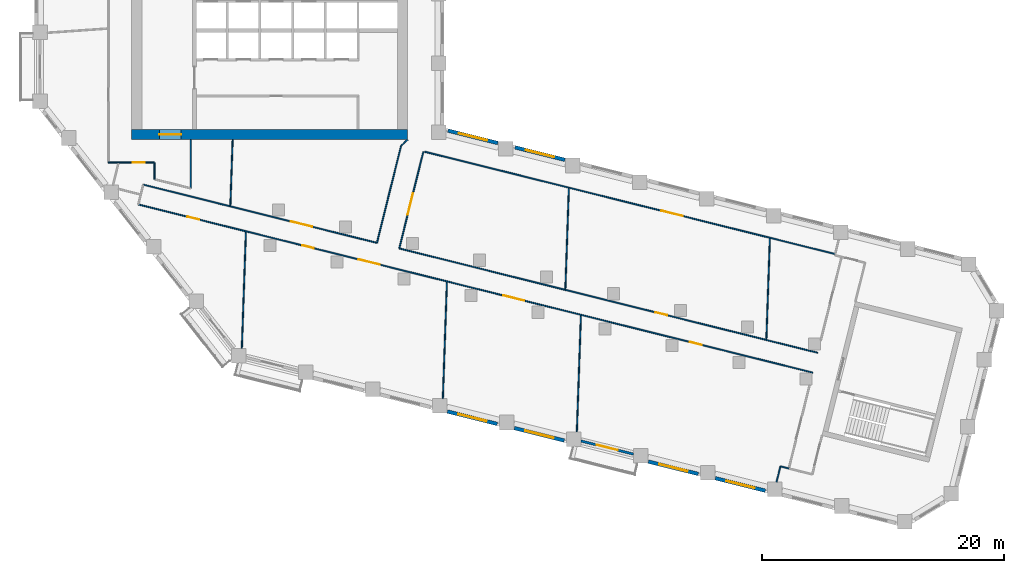
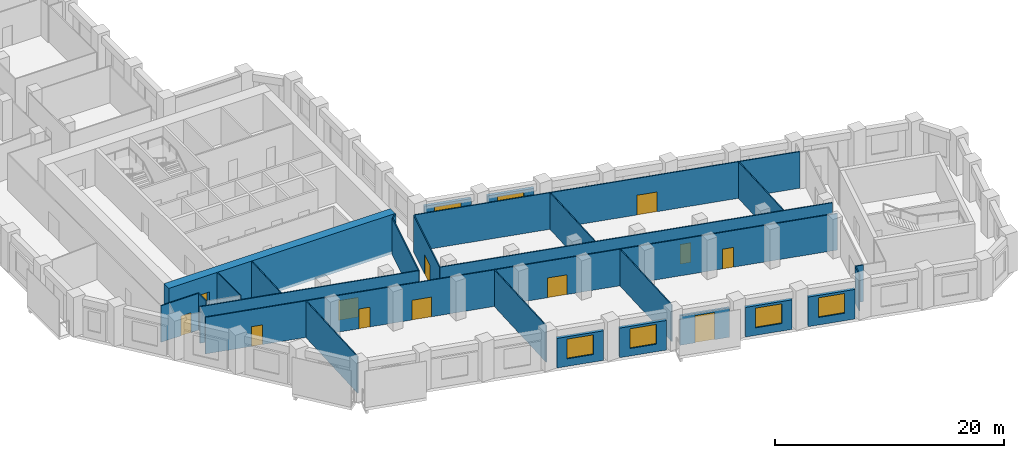
# One storey, part 3 of 10: 26 walls, 12 doors, 6 windows, 18 openings.
"""IFC4 building model written with IfcOpenShell, lengths in metres."""

from ifc_helpers import new_model, si_unit, direction, frame, frame_2d, origin, place, context, subcontext, project, spatial, rectangle, extrude, material, layer, layer_set, type_object, element, fill, save


model = new_model("IFC4")

# Units and contexts
model_context = context("Model", 3, precision=1e-05, world=origin(), true_north=direction((0.0, 1.0)))
body_context = subcontext(model_context, "Body", "Model", "MODEL_VIEW")
ifc_project = project(units=[si_unit("LENGTHUNIT", "METRE"), si_unit("AREAUNIT", "SQUARE_METRE"), si_unit("VOLUMEUNIT", "CUBIC_METRE"), si_unit("PLANEANGLEUNIT", "RADIAN"), si_unit("MASSUNIT", "GRAM", prefix="KILO")], contexts=[model_context])

# Site, building, storey
site_placement = place(None, origin())
site = spatial("IfcSite", under=ifc_project, at=site_placement, CompositionType="ELEMENT")
building_placement = place(site_placement, origin())
building = spatial("IfcBuilding", under=site, at=building_placement, Name="Meshkara Civic Tower", CompositionType="ELEMENT")
storey_placement = place(building_placement, frame((0.0, 0.0, 169.800048828125)))
storey = spatial("IfcBuildingStorey", under=building, at=storey_placement, Name="L38", CompositionType="ELEMENT", Elevation=169.800048828125)

# Wall, opening, door
ifc_material_1 = material(Name="Concrete C70", Category="concrete")
ifc_layer_1 = layer(ifc_material_1, 0.85009765625)
ifc_layer_set_1 = layer_set([ifc_layer_1], Name="Core ring wall 850 C70")
wall_type_1 = type_object("IfcWallType", Name="Core ring wall 850 C70", PredefinedType="SHEAR", material=ifc_layer_set_1)
wall_1_placement = place(storey_placement, frame((8.0, 14.52490234375, -0.300048828125), z_axis=(0.0, 0.0, 1.0), x_axis=(1.0, 0.0, 0.0)))
wall_1 = element("IfcWall", 1, at=wall_1_placement, inside=storey, type_object=wall_type_1, Name="L38-C001", PredefinedType="SHEAR", context=body_context, shape_type="SweptSolid", body=[
    extrude(rectangle(XDim=22.800048828125, YDim=0.85009765625, at=frame_2d((11.39990234375, 0.0))), origin(), (0.0, 0.0, 1.0), 4.199951171875),
])
opening_1_placement = place(wall_1_placement, frame((2.300048828125, 0.0, 0.300048828125)))
opening_1 = element("IfcOpeningElement", 2, at=opening_1_placement, cuts=wall_1, Name="Opening L38-K020", PredefinedType="OPENING", context=body_context, shape_type="SweptSolid", body=[
    extrude(rectangle(XDim=1.800048828125, YDim=2.10009765625, at=frame_2d((0.89990234375, 1.050048828125))), frame((0.0, 0.43505859375, 0.0), z_axis=(0.0, -1.0, 0.0), x_axis=(1.0, 0.0, 0.0)), (0.0, 0.0, 1.0), 0.8701171875),
])
ifc_material_2 = material(Name="Fire-rated door leaf in steel frame", Category="steel")
door_type_1 = type_object("IfcDoorType", Name="Core double door 1800 EI 60", OperationType="DOUBLE_DOOR_SINGLE_SWING", PredefinedType="DOOR", material=ifc_material_2)
door_1_placement = place(opening_1_placement, origin())
door_1 = element("IfcDoor", 3, at=door_1_placement, inside=storey, type_object=door_type_1, Name="L38-K020", OperationType="DOUBLE_DOOR_SINGLE_SWING", OverallHeight=2.10009765625, OverallWidth=1.800048828125, PredefinedType="DOOR", context=body_context, shape_type="SweptSolid", body=[
    extrude(rectangle(XDim=1.800048828125, YDim=2.10009765625, at=frame_2d((0.89990234375, 1.050048828125))), frame((0.0, 0.02490234375, 0.0), z_axis=(0.0, -1.0, 0.0), x_axis=(1.0, 0.0, 0.0)), (0.0, 0.0, 1.0), 0.050048828125),
])
fill(opening_1, door_1)

ifc_material_3 = material(Name="Corridor wall 100")
ifc_layer_2 = layer(ifc_material_3, 0.10009765625)
ifc_layer_set_2 = layer_set([ifc_layer_2], Name="Corridor wall 100")
wall_type_2 = type_object("IfcWallType", Name="Corridor wall 100", PredefinedType="PARTITIONING", material=ifc_layer_set_2)
wall_2_placement = place(storey_placement, frame((6.10009765625, 12.199951171875, 0.0), z_axis=(0.0, 0.0, 1.0), x_axis=(1.0, 0.0, 0.0)))
wall_2 = element("IfcWall", 4, at=wall_2_placement, inside=storey, type_object=wall_type_2, Name="L38-W004", PredefinedType="PARTITIONING", context=body_context, shape_type="SweptSolid", body=[
    extrude(rectangle(XDim=3.7998046875, YDim=0.10009765625, at=frame_2d((1.89990234375, 0.0))), origin(), (0.0, 0.0, 1.0), 3.89990234375),
])
opening_2_placement = place(wall_2_placement, frame((2.001953125, 0.0, 0.0)))
opening_2 = element("IfcOpeningElement", 5, at=opening_2_placement, cuts=wall_2, Name="Opening L38-D015", PredefinedType="OPENING", context=body_context, shape_type="SweptSolid", body=[
    extrude(rectangle(XDim=1.0, YDim=2.10009765625, at=frame_2d((0.5, 1.050048828125))), frame((0.0, 0.06005859375, 0.0), z_axis=(0.0, -1.0, 0.0), x_axis=(1.0, 0.0, 0.0)), (0.0, 0.0, 1.0), 0.1201171875),
])
ifc_material_4 = material(Name="Door 1000 x 2100")
door_type_2 = type_object("IfcDoorType", Name="Door 1000 x 2100", OperationType="SINGLE_SWING_LEFT", PredefinedType="DOOR", material=ifc_material_4)
door_2_placement = place(opening_2_placement, origin())
door_2 = element("IfcDoor", 6, at=door_2_placement, inside=storey, type_object=door_type_2, Name="L38-D015", OperationType="SINGLE_SWING_LEFT", OverallHeight=2.10009765625, OverallWidth=1.0, PredefinedType="DOOR", context=body_context, shape_type="SweptSolid", body=[
    extrude(rectangle(XDim=1.0, YDim=2.10009765625, at=frame_2d((0.5, 1.050048828125))), frame((0.0, 0.02490234375, 0.0), z_axis=(0.0, -1.0, 0.0), x_axis=(1.0, 0.0, 0.0)), (0.0, 0.0, 1.0), 0.050048828125),
])
fill(opening_2, door_2)

# Wall, openings, doors
wall_3_placement = place(storey_placement, frame((8.56494140625, 8.743896484375, 0.0), z_axis=(0.0, 0.0, 1.0), x_axis=(0.970296742948, -0.241917817915, 0.0)))
wall_3 = element("IfcWall", 7, at=wall_3_placement, inside=storey, type_object=wall_type_2, Name="L38-W006", PredefinedType="PARTITIONING", context=body_context, shape_type="SweptSolid", body=[
    extrude(rectangle(XDim=57.374267578125, YDim=0.10009765625, at=frame_2d((28.68701171875, 0.0))), origin(), (0.0, 0.0, 1.0), 3.89990234375),
])
opening_3_placement = place(wall_3_placement, frame((46.93603515625, 0.0, 0.0)))
opening_3 = element("IfcOpeningElement", 8, at=opening_3_placement, cuts=wall_3, Name="Opening L38-D004", PredefinedType="OPENING", context=body_context, shape_type="SweptSolid", body=[
    extrude(rectangle(XDim=1.0, YDim=2.10009765625, at=frame_2d((0.5, 1.050048828125))), frame((0.0, 0.06005859375, 0.0), z_axis=(0.0, -1.0, 0.0), x_axis=(1.0, 0.0, 0.0)), (0.0, 0.0, 1.0), 0.1201171875),
])
opening_4_placement = place(wall_3_placement, frame((13.93603515625, 0.0, 0.0)))
opening_4 = element("IfcOpeningElement", 9, at=opening_4_placement, cuts=wall_3, Name="Opening L38-D005", PredefinedType="OPENING", context=body_context, shape_type="SweptSolid", body=[
    extrude(rectangle(XDim=1.0, YDim=2.10009765625, at=frame_2d((0.5, 1.050048828125))), frame((0.0, 0.06005859375, 0.0), z_axis=(0.0, -1.0, 0.0), x_axis=(1.0, 0.0, 0.0)), (0.0, 0.0, 1.0), 0.1201171875),
])
opening_5_placement = place(wall_3_placement, frame((18.736083984375, 0.0, 0.0)))
opening_5 = element("IfcOpeningElement", 10, at=opening_5_placement, cuts=wall_3, Name="Opening L38-D006", PredefinedType="OPENING", context=body_context, shape_type="SweptSolid", body=[
    extrude(rectangle(XDim=1.800048828125, YDim=2.10009765625, at=frame_2d((0.89990234375, 1.050048828125))), frame((0.0, 0.06005859375, 0.0), z_axis=(0.0, -1.0, 0.0), x_axis=(1.0, 0.0, 0.0)), (0.0, 0.0, 1.0), 0.1201171875),
])
opening_6_placement = place(wall_3_placement, frame((31.035888671875, 0.0, 0.0)))
opening_6 = element("IfcOpeningElement", 11, at=opening_6_placement, cuts=wall_3, Name="Opening L38-D007", PredefinedType="OPENING", context=body_context, shape_type="SweptSolid", body=[
    extrude(rectangle(XDim=1.800048828125, YDim=2.10009765625, at=frame_2d((0.89990234375, 1.050048828125))), frame((0.0, 0.06005859375, 0.0), z_axis=(0.0, -1.0, 0.0), x_axis=(1.0, 0.0, 0.0)), (0.0, 0.0, 1.0), 0.1201171875),
])
opening_7_placement = place(wall_3_placement, frame((4.179931640625, 0.0, 0.0)))
opening_7 = element("IfcOpeningElement", 12, at=opening_7_placement, cuts=wall_3, Name="Opening L38-D010", PredefinedType="OPENING", context=body_context, shape_type="SweptSolid", body=[
    extrude(rectangle(XDim=1.0, YDim=2.10009765625, at=frame_2d((0.5, 1.050048828125))), frame((0.0, 0.06005859375, 0.0), z_axis=(0.0, -1.0, 0.0), x_axis=(1.0, 0.0, 0.0)), (0.0, 0.0, 1.0), 0.1201171875),
])
door_3_placement = place(opening_3_placement, origin())
door_3 = element("IfcDoor", 13, at=door_3_placement, inside=storey, type_object=door_type_2, Name="L38-D004", OperationType="SINGLE_SWING_RIGHT", OverallHeight=2.10009765625, OverallWidth=1.0, PredefinedType="DOOR", context=body_context, shape_type="SweptSolid", body=[
    extrude(rectangle(XDim=1.0, YDim=2.10009765625, at=frame_2d((0.5, 1.050048828125))), frame((0.0, 0.02490234375, 0.0), z_axis=(0.0, -1.0, 0.0), x_axis=(1.0, 0.0, 0.0)), (0.0, 0.0, 1.0), 0.050048828125),
])
fill(opening_3, door_3)
door_4_placement = place(opening_4_placement, origin())
door_4 = element("IfcDoor", 14, at=door_4_placement, inside=storey, type_object=door_type_2, Name="L38-D005", OperationType="SINGLE_SWING_RIGHT", OverallHeight=2.10009765625, OverallWidth=1.0, PredefinedType="DOOR", context=body_context, shape_type="SweptSolid", body=[
    extrude(rectangle(XDim=1.0, YDim=2.10009765625, at=frame_2d((0.5, 1.050048828125))), frame((0.0, 0.02490234375, 0.0), z_axis=(0.0, -1.0, 0.0), x_axis=(1.0, 0.0, 0.0)), (0.0, 0.0, 1.0), 0.050048828125),
])
fill(opening_4, door_4)
door_5_placement = place(opening_7_placement, origin())
door_5 = element("IfcDoor", 15, at=door_5_placement, inside=storey, type_object=door_type_2, Name="L38-D010", OperationType="SINGLE_SWING_LEFT", OverallHeight=2.10009765625, OverallWidth=1.0, PredefinedType="DOOR", context=body_context, shape_type="SweptSolid", body=[
    extrude(rectangle(XDim=1.0, YDim=2.10009765625, at=frame_2d((0.5, 1.050048828125))), frame((0.0, 0.02490234375, 0.0), z_axis=(0.0, -1.0, 0.0), x_axis=(1.0, 0.0, 0.0)), (0.0, 0.0, 1.0), 0.050048828125),
])
fill(opening_7, door_5)
ifc_material_5 = material(Name="Door pair 1800 x 2100")
door_type_3 = type_object("IfcDoorType", Name="Door pair 1800 x 2100", OperationType="SINGLE_SWING_LEFT", PredefinedType="DOOR", material=ifc_material_5)
door_6_placement = place(opening_5_placement, origin())
door_6 = element("IfcDoor", 16, at=door_6_placement, inside=storey, type_object=door_type_3, Name="L38-D006", OperationType="DOUBLE_DOOR_SINGLE_SWING", OverallHeight=2.10009765625, OverallWidth=1.800048828125, PredefinedType="DOOR", context=body_context, shape_type="SweptSolid", body=[
    extrude(rectangle(XDim=1.800048828125, YDim=2.10009765625, at=frame_2d((0.89990234375, 1.050048828125))), frame((0.0, 0.02490234375, 0.0), z_axis=(0.0, -1.0, 0.0), x_axis=(1.0, 0.0, 0.0)), (0.0, 0.0, 1.0), 0.050048828125),
])
fill(opening_5, door_6)
door_7_placement = place(opening_6_placement, origin())
door_7 = element("IfcDoor", 17, at=door_7_placement, inside=storey, type_object=door_type_3, Name="L38-D007", OperationType="DOUBLE_DOOR_SINGLE_SWING", OverallHeight=2.10009765625, OverallWidth=1.800048828125, PredefinedType="DOOR", context=body_context, shape_type="SweptSolid", body=[
    extrude(rectangle(XDim=1.800048828125, YDim=2.10009765625, at=frame_2d((0.89990234375, 1.050048828125))), frame((0.0, 0.02490234375, 0.0), z_axis=(0.0, -1.0, 0.0), x_axis=(1.0, 0.0, 0.0)), (0.0, 0.0, 1.0), 0.050048828125),
])
fill(opening_6, door_7)

# Wall, opening, door
wall_4_placement = place(storey_placement, frame((8.972900390625, 10.382080078125, 0.0), z_axis=(0.0, 0.0, 1.0), x_axis=(0.970286808807, -0.241957658808, 0.0)))
wall_4 = element("IfcWall", 18, at=wall_4_placement, inside=storey, type_object=wall_type_2, Name="L38-W007", PredefinedType="PARTITIONING", context=body_context, shape_type="SweptSolid", body=[
    extrude(rectangle(XDim=19.879638671875, YDim=0.10009765625, at=frame_2d((9.93994140625, 0.0))), origin(), (0.0, 0.0, 1.0), 3.89990234375),
])
opening_8_placement = place(wall_4_placement, frame((12.574951171875, 0.0, 0.0)))
opening_8 = element("IfcOpeningElement", 19, at=opening_8_placement, cuts=wall_4, Name="Opening L38-D011", PredefinedType="OPENING", context=body_context, shape_type="SweptSolid", body=[
    extrude(rectangle(XDim=1.800048828125, YDim=2.10009765625, at=frame_2d((0.89990234375, 1.050048828125))), frame((0.0, 0.06005859375, 0.0), z_axis=(0.0, -1.0, 0.0), x_axis=(1.0, 0.0, 0.0)), (0.0, 0.0, 1.0), 0.1201171875),
])
door_8_placement = place(opening_8_placement, origin())
door_8 = element("IfcDoor", 20, at=door_8_placement, inside=storey, type_object=door_type_3, Name="L38-D011", OperationType="DOUBLE_DOOR_SINGLE_SWING", OverallHeight=2.10009765625, OverallWidth=1.800048828125, PredefinedType="DOOR", context=body_context, shape_type="SweptSolid", body=[
    extrude(rectangle(XDim=1.800048828125, YDim=2.10009765625, at=frame_2d((0.89990234375, 1.050048828125))), frame((0.0, 0.02490234375, 0.0), z_axis=(0.0, -1.0, 0.0), x_axis=(1.0, 0.0, 0.0)), (0.0, 0.0, 1.0), 0.050048828125),
])
fill(opening_8, door_8)

# Walls
wall_5_placement = place(storey_placement, frame((9.89990234375, 12.199951171875, 0.0), z_axis=(0.0, 0.0, 1.0), x_axis=(0.0, -1.0, 0.0)))
element("IfcWall", 21, at=wall_5_placement, inside=storey, type_object=wall_type_2, Name="L38-W010", PredefinedType="PARTITIONING", context=body_context, shape_type="SweptSolid", body=[
    extrude(rectangle(XDim=1.3740234375, YDim=0.10009765625, at=frame_2d((0.68701171875, 0.0))), origin(), (0.0, 0.0, 1.0), 3.89990234375),
])
wall_6_placement = place(storey_placement, frame((12.89990234375, 10.077880859375, 0.0), z_axis=(0.0, 0.0, 1.0), x_axis=(0.0, 1.0, 0.0)))
element("IfcWall", 22, at=wall_6_placement, inside=storey, type_object=wall_type_2, Name="L38-W016", PredefinedType="PARTITIONING", context=body_context, shape_type="SweptSolid", body=[
    extrude(rectangle(XDim=4.022216796875, YDim=0.10009765625, at=frame_2d((2.01123046875, 0.0))), origin(), (0.0, 0.0, 1.0), 3.89990234375),
])

# Wall, opening, door
wall_7_placement = place(storey_placement, frame((30.10498046875, 5.113037109375, 0.0), z_axis=(0.0, 0.0, 1.0), x_axis=(0.970292395556, -0.241935253995, 0.0)))
wall_7 = element("IfcWall", 23, at=wall_7_placement, inside=storey, type_object=wall_type_2, Name="L38-W027", PredefinedType="PARTITIONING", context=body_context, shape_type="SweptSolid", body=[
    extrude(rectangle(XDim=35.596435546875, YDim=0.10009765625, at=frame_2d((17.79833984375, 0.0))), origin(), (0.0, 0.0, 1.0), 3.89990234375),
])
opening_9_placement = place(wall_7_placement, frame((21.7958984375, 0.0, 0.0)))
opening_9 = element("IfcOpeningElement", 24, at=opening_9_placement, cuts=wall_7, Name="Opening L38-D003", PredefinedType="OPENING", context=body_context, shape_type="SweptSolid", body=[
    extrude(rectangle(XDim=1.0, YDim=2.10009765625, at=frame_2d((0.5, 1.050048828125))), frame((0.0, 0.06005859375, 0.0), z_axis=(0.0, -1.0, 0.0), x_axis=(1.0, 0.0, 0.0)), (0.0, 0.0, 1.0), 0.1201171875),
])
door_9_placement = place(opening_9_placement, origin())
door_9 = element("IfcDoor", 25, at=door_9_placement, inside=storey, type_object=door_type_2, Name="L38-D003", OperationType="SINGLE_SWING_LEFT", OverallHeight=2.10009765625, OverallWidth=1.0, PredefinedType="DOOR", context=body_context, shape_type="SweptSolid", body=[
    extrude(rectangle(XDim=1.0, YDim=2.10009765625, at=frame_2d((0.5, 1.050048828125))), frame((0.0, 0.02490234375, 0.0), z_axis=(0.0, -1.0, 0.0), x_axis=(1.0, 0.0, 0.0)), (0.0, 0.0, 1.0), 0.050048828125),
])
fill(opening_9, door_9)

wall_8_placement = place(storey_placement, frame((30.10498046875, 5.113037109375, 0.0), z_axis=(0.0, 0.0, 1.0), x_axis=(0.241984285369, 0.970280168629, 0.0)))
wall_8 = element("IfcWall", 26, at=wall_8_placement, inside=storey, type_object=wall_type_2, Name="L38-W028", PredefinedType="PARTITIONING", context=body_context, shape_type="SweptSolid", body=[
    extrude(rectangle(XDim=8.231689453125, YDim=0.10009765625, at=frame_2d((4.11572265625, 0.0))), origin(), (0.0, 0.0, 1.0), 3.89990234375),
])
opening_10_placement = place(wall_8_placement, frame((2.8798828125, 0.0, 0.0)))
opening_10 = element("IfcOpeningElement", 27, at=opening_10_placement, cuts=wall_8, Name="Opening L38-D012", PredefinedType="OPENING", context=body_context, shape_type="SweptSolid", body=[
    extrude(rectangle(XDim=1.800048828125, YDim=2.10009765625, at=frame_2d((0.89990234375, 1.050048828125))), frame((0.0, 0.06005859375, 0.0), z_axis=(0.0, -1.0, 0.0), x_axis=(1.0, 0.0, 0.0)), (0.0, 0.0, 1.0), 0.1201171875),
])
door_10_placement = place(opening_10_placement, origin())
door_10 = element("IfcDoor", 28, at=door_10_placement, inside=storey, type_object=door_type_3, Name="L38-D012", OperationType="DOUBLE_DOOR_SINGLE_SWING", OverallHeight=2.10009765625, OverallWidth=1.800048828125, PredefinedType="DOOR", context=body_context, shape_type="SweptSolid", body=[
    extrude(rectangle(XDim=1.800048828125, YDim=2.10009765625, at=frame_2d((0.89990234375, 1.050048828125))), frame((0.0, 0.02490234375, 0.0), z_axis=(0.0, -1.0, 0.0), x_axis=(1.0, 0.0, 0.0)), (0.0, 0.0, 1.0), 0.050048828125),
])
fill(opening_10, door_10)

# Walls
wall_9_placement = place(storey_placement, frame((30.259033203125, 13.5830078125, 0.0), z_axis=(0.0, 0.0, 1.0), x_axis=(-0.241888494143, -0.970304053584, 0.0)))
element("IfcWall", 29, at=wall_9_placement, inside=storey, type_object=wall_type_2, Name="L38-W029", PredefinedType="PARTITIONING", context=body_context, shape_type="SweptSolid", body=[
    extrude(rectangle(XDim=8.256103515625, YDim=0.10009765625, at=frame_2d((4.1279296875, 0.0))), origin(), (0.0, 0.0, 1.0), 3.89990234375),
])
wall_10_placement = place(storey_placement, frame((30.800048828125, 14.10009765625, 0.0), z_axis=(0.0, 0.0, 1.0), x_axis=(-0.722911025189, -0.690941133281, 0.0)))
element("IfcWall", 30, at=wall_10_placement, inside=storey, type_object=wall_type_2, Name="L38-W030", PredefinedType="PARTITIONING", context=body_context, shape_type="SweptSolid", body=[
    extrude(rectangle(XDim=0.748291015625, YDim=0.10009765625, at=frame_2d((0.3740234375, 0.0))), origin(), (0.0, 0.0, 1.0), 3.89990234375),
])

# Wall, opening, door
wall_11_placement = place(storey_placement, frame((32.196044921875, 13.10009765625, 0.0), z_axis=(0.0, 0.0, 1.0), x_axis=(0.970294028693, -0.241928704129, 0.0)))
wall_11 = element("IfcWall", 31, at=wall_11_placement, inside=storey, type_object=wall_type_2, Name="L38-W031", PredefinedType="PARTITIONING", context=body_context, shape_type="SweptSolid", body=[
    extrude(rectangle(XDim=34.928466796875, YDim=0.10009765625, at=frame_2d((17.46435546875, 0.0))), origin(), (0.0, 0.0, 1.0), 3.89990234375),
])
opening_11_placement = place(wall_11_placement, frame((20.156982421875, 0.0, 0.0)))
opening_11 = element("IfcOpeningElement", 32, at=opening_11_placement, cuts=wall_11, Name="Opening L38-D013", PredefinedType="OPENING", context=body_context, shape_type="SweptSolid", body=[
    extrude(rectangle(XDim=1.800048828125, YDim=2.10009765625, at=frame_2d((0.89990234375, 1.050048828125))), frame((0.0, 0.06005859375, 0.0), z_axis=(0.0, -1.0, 0.0), x_axis=(1.0, 0.0, 0.0)), (0.0, 0.0, 1.0), 0.1201171875),
])
door_11_placement = place(opening_11_placement, origin())
door_11 = element("IfcDoor", 33, at=door_11_placement, inside=storey, type_object=door_type_3, Name="L38-D013", OperationType="DOUBLE_DOOR_SINGLE_SWING", OverallHeight=2.10009765625, OverallWidth=1.800048828125, PredefinedType="DOOR", context=body_context, shape_type="SweptSolid", body=[
    extrude(rectangle(XDim=1.800048828125, YDim=2.10009765625, at=frame_2d((0.89990234375, 1.050048828125))), frame((0.0, 0.02490234375, 0.0), z_axis=(0.0, -1.0, 0.0), x_axis=(1.0, 0.0, 0.0)), (0.0, 0.0, 1.0), 0.050048828125),
])
fill(opening_11, door_11)

# Wall, opening, window
ifc_material_6 = material(Name="Insulated infill panel with bronze anodised aluminium cladding", Category="aluminium")
ifc_layer_3 = layer(ifc_material_6, 0.300048828125)
ifc_layer_set_3 = layer_set([ifc_layer_3], Name="EXTERNAL INFILL WALL 300")
wall_type_3 = type_object("IfcWallType", Name="EXTERNAL INFILL WALL 300", PredefinedType="SOLIDWALL", material=ifc_layer_set_3)
wall_12_placement = place(storey_placement, frame((43.778076171875, 12.427978515625, 0.0), z_axis=(0.0, 0.0, 1.0), x_axis=(-0.970291164166, 0.241940192487, 0.0)))
wall_12 = element("IfcWall", 34, at=wall_12_placement, inside=storey, type_object=wall_type_3, Name="External wall", PredefinedType="SOLIDWALL", context=body_context, shape_type="SweptSolid", body=[
    extrude(rectangle(XDim=4.245361328125, YDim=0.300048828125, at=frame_2d((2.12255859375, 0.0))), origin(), (0.0, 0.0, 1.0), 3.14990234375),
])
opening_12_placement = place(wall_12_placement, frame((0.922119140625, 0.0, 0.800048828125)))
opening_12 = element("IfcOpeningElement", 35, at=opening_12_placement, cuts=wall_12, Name="Opening W7", PredefinedType="OPENING", context=body_context, shape_type="SweptSolid", body=[
    extrude(rectangle(XDim=2.39990234375, YDim=2.10009765625, at=frame_2d((1.199951171875, 1.050048828125))), frame((0.0, 0.159912109375, 0.0), z_axis=(0.0, -1.0, 0.0), x_axis=(1.0, 0.0, 0.0)), (0.0, 0.0, 1.0), 0.320068359375),
])
ifc_material_7 = material(Name="Tinted double glazing", Category="glass")
window_type = type_object("IfcWindowType", Name="WINDOW 2400x2100", PartitioningType="DOUBLE_PANEL_VERTICAL", PredefinedType="WINDOW", material=ifc_material_7)
window_1_placement = place(opening_12_placement, origin())
window_1 = element("IfcWindow", 36, at=window_1_placement, inside=storey, type_object=window_type, Name="Window", OverallHeight=2.10009765625, OverallWidth=2.39990234375, PartitioningType="DOUBLE_PANEL_VERTICAL", PredefinedType="WINDOW", context=body_context, shape_type="SweptSolid", body=[
    extrude(rectangle(XDim=2.39990234375, YDim=2.10009765625, at=frame_2d((1.199951171875, 1.050048828125))), frame((0.0, 0.030029296875, 0.0), z_axis=(0.0, -1.0, 0.0), x_axis=(1.0, 0.0, 0.0)), (0.0, 0.0, 1.0), 0.06005859375),
])
fill(opening_12, window_1)

wall_13_placement = place(storey_placement, frame((38.248046875, 13.806884765625, 0.0), z_axis=(0.0, 0.0, 1.0), x_axis=(-0.970250625545, 0.242102712975, 0.0)))
wall_13 = element("IfcWall", 37, at=wall_13_placement, inside=storey, type_object=wall_type_3, Name="External wall", PredefinedType="SOLIDWALL", context=body_context, shape_type="SweptSolid", body=[
    extrude(rectangle(XDim=4.246337890625, YDim=0.300048828125, at=frame_2d((2.123046875, 0.0))), origin(), (0.0, 0.0, 1.0), 3.14990234375),
])
opening_13_placement = place(wall_13_placement, frame((0.923095703125, 0.0, 0.800048828125)))
opening_13 = element("IfcOpeningElement", 38, at=opening_13_placement, cuts=wall_13, Name="Opening W7", PredefinedType="OPENING", context=body_context, shape_type="SweptSolid", body=[
    extrude(rectangle(XDim=2.39990234375, YDim=2.10009765625, at=frame_2d((1.199951171875, 1.050048828125))), frame((0.0, 0.159912109375, 0.0), z_axis=(0.0, -1.0, 0.0), x_axis=(1.0, 0.0, 0.0)), (0.0, 0.0, 1.0), 0.320068359375),
])
window_2_placement = place(opening_13_placement, origin())
window_2 = element("IfcWindow", 39, at=window_2_placement, inside=storey, type_object=window_type, Name="Window", OverallHeight=2.10009765625, OverallWidth=2.39990234375, PartitioningType="DOUBLE_PANEL_VERTICAL", PredefinedType="WINDOW", context=body_context, shape_type="SweptSolid", body=[
    extrude(rectangle(XDim=2.39990234375, YDim=2.10009765625, at=frame_2d((1.199951171875, 1.050048828125))), frame((0.0, 0.030029296875, 0.0), z_axis=(0.0, -1.0, 0.0), x_axis=(1.0, 0.0, 0.0)), (0.0, 0.0, 1.0), 0.06005859375),
])
fill(opening_13, window_2)

wall_14_placement = place(storey_placement, frame((34.075927734375, -8.342041015625, 0.0), z_axis=(0.0, 0.0, 1.0), x_axis=(0.970318118028, -0.241832069473, 0.0)))
wall_14 = element("IfcWall", 40, at=wall_14_placement, inside=storey, type_object=wall_type_3, Name="External wall", PredefinedType="SOLIDWALL", context=body_context, shape_type="SweptSolid", body=[
    extrude(rectangle(XDim=4.24609375, YDim=0.300048828125, at=frame_2d((2.123046875, 0.0))), origin(), (0.0, 0.0, 1.0), 3.14990234375),
])
opening_14_placement = place(wall_14_placement, frame((0.923095703125, 0.0, 0.800048828125)))
opening_14 = element("IfcOpeningElement", 41, at=opening_14_placement, cuts=wall_14, Name="Opening W7", PredefinedType="OPENING", context=body_context, shape_type="SweptSolid", body=[
    extrude(rectangle(XDim=2.39990234375, YDim=2.10009765625, at=frame_2d((1.199951171875, 1.050048828125))), frame((0.0, 0.159912109375, 0.0), z_axis=(0.0, -1.0, 0.0), x_axis=(1.0, 0.0, 0.0)), (0.0, 0.0, 1.0), 0.320068359375),
])
window_3_placement = place(opening_14_placement, origin())
window_3 = element("IfcWindow", 42, at=window_3_placement, inside=storey, type_object=window_type, Name="Window", OverallHeight=2.10009765625, OverallWidth=2.39990234375, PartitioningType="DOUBLE_PANEL_VERTICAL", PredefinedType="WINDOW", context=body_context, shape_type="SweptSolid", body=[
    extrude(rectangle(XDim=2.39990234375, YDim=2.10009765625, at=frame_2d((1.199951171875, 1.050048828125))), frame((0.0, 0.030029296875, 0.0), z_axis=(0.0, -1.0, 0.0), x_axis=(1.0, 0.0, 0.0)), (0.0, 0.0, 1.0), 0.06005859375),
])
fill(opening_14, window_3)

wall_15_placement = place(storey_placement, frame((39.60693359375, -9.719970703125, 0.0), z_axis=(0.0, 0.0, 1.0), x_axis=(0.970250625545, -0.242102712975, 0.0)))
wall_15 = element("IfcWall", 43, at=wall_15_placement, inside=storey, type_object=wall_type_3, Name="External wall", PredefinedType="SOLIDWALL", context=body_context, shape_type="SweptSolid", body=[
    extrude(rectangle(XDim=4.246337890625, YDim=0.300048828125, at=frame_2d((2.123046875, 0.0))), origin(), (0.0, 0.0, 1.0), 3.14990234375),
])
opening_15_placement = place(wall_15_placement, frame((0.923095703125, 0.0, 0.800048828125)))
opening_15 = element("IfcOpeningElement", 44, at=opening_15_placement, cuts=wall_15, Name="Opening W7", PredefinedType="OPENING", context=body_context, shape_type="SweptSolid", body=[
    extrude(rectangle(XDim=2.39990234375, YDim=2.10009765625, at=frame_2d((1.199951171875, 1.050048828125))), frame((0.0, 0.159912109375, 0.0), z_axis=(0.0, -1.0, 0.0), x_axis=(1.0, 0.0, 0.0)), (0.0, 0.0, 1.0), 0.320068359375),
])
window_4_placement = place(opening_15_placement, origin())
window_4 = element("IfcWindow", 45, at=window_4_placement, inside=storey, type_object=window_type, Name="Window", OverallHeight=2.10009765625, OverallWidth=2.39990234375, PartitioningType="DOUBLE_PANEL_VERTICAL", PredefinedType="WINDOW", context=body_context, shape_type="SweptSolid", body=[
    extrude(rectangle(XDim=2.39990234375, YDim=2.10009765625, at=frame_2d((1.199951171875, 1.050048828125))), frame((0.0, 0.030029296875, 0.0), z_axis=(0.0, -1.0, 0.0), x_axis=(1.0, 0.0, 0.0)), (0.0, 0.0, 1.0), 0.06005859375),
])
fill(opening_15, window_4)

wall_16_placement = place(storey_placement, frame((50.66796875, -12.47802734375, 0.0), z_axis=(0.0, 0.0, 1.0), x_axis=(0.970318118028, -0.241832069473, 0.0)))
wall_16 = element("IfcWall", 46, at=wall_16_placement, inside=storey, type_object=wall_type_3, Name="External wall", PredefinedType="SOLIDWALL", context=body_context, shape_type="SweptSolid", body=[
    extrude(rectangle(XDim=4.24609375, YDim=0.300048828125, at=frame_2d((2.123046875, 0.0))), origin(), (0.0, 0.0, 1.0), 3.14990234375),
])
opening_16_placement = place(wall_16_placement, frame((0.923095703125, 0.0, 0.800048828125)))
opening_16 = element("IfcOpeningElement", 47, at=opening_16_placement, cuts=wall_16, Name="Opening W7", PredefinedType="OPENING", context=body_context, shape_type="SweptSolid", body=[
    extrude(rectangle(XDim=2.39990234375, YDim=2.10009765625, at=frame_2d((1.199951171875, 1.050048828125))), frame((0.0, 0.159912109375, 0.0), z_axis=(0.0, -1.0, 0.0), x_axis=(1.0, 0.0, 0.0)), (0.0, 0.0, 1.0), 0.320068359375),
])
window_5_placement = place(opening_16_placement, origin())
window_5 = element("IfcWindow", 48, at=window_5_placement, inside=storey, type_object=window_type, Name="Window", OverallHeight=2.10009765625, OverallWidth=2.39990234375, PartitioningType="DOUBLE_PANEL_VERTICAL", PredefinedType="WINDOW", context=body_context, shape_type="SweptSolid", body=[
    extrude(rectangle(XDim=2.39990234375, YDim=2.10009765625, at=frame_2d((1.199951171875, 1.050048828125))), frame((0.0, 0.030029296875, 0.0), z_axis=(0.0, -1.0, 0.0), x_axis=(1.0, 0.0, 0.0)), (0.0, 0.0, 1.0), 0.06005859375),
])
fill(opening_16, window_5)

wall_17_placement = place(storey_placement, frame((56.198974609375, -13.85693359375, 0.0), z_axis=(0.0, 0.0, 1.0), x_axis=(0.97030462482, -0.241886202691, 0.0)))
wall_17 = element("IfcWall", 49, at=wall_17_placement, inside=storey, type_object=wall_type_3, Name="External wall", PredefinedType="SOLIDWALL", context=body_context, shape_type="SweptSolid", body=[
    extrude(rectangle(XDim=4.24609375, YDim=0.300048828125, at=frame_2d((2.123046875, 0.0))), origin(), (0.0, 0.0, 1.0), 3.14990234375),
])
opening_17_placement = place(wall_17_placement, frame((0.923095703125, 0.0, 0.800048828125)))
opening_17 = element("IfcOpeningElement", 50, at=opening_17_placement, cuts=wall_17, Name="Opening W7", PredefinedType="OPENING", context=body_context, shape_type="SweptSolid", body=[
    extrude(rectangle(XDim=2.39990234375, YDim=2.10009765625, at=frame_2d((1.199951171875, 1.050048828125))), frame((0.0, 0.159912109375, 0.0), z_axis=(0.0, -1.0, 0.0), x_axis=(1.0, 0.0, 0.0)), (0.0, 0.0, 1.0), 0.320068359375),
])
window_6_placement = place(opening_17_placement, origin())
window_6 = element("IfcWindow", 51, at=window_6_placement, inside=storey, type_object=window_type, Name="Window", OverallHeight=2.10009765625, OverallWidth=2.39990234375, PartitioningType="DOUBLE_PANEL_VERTICAL", PredefinedType="WINDOW", context=body_context, shape_type="SweptSolid", body=[
    extrude(rectangle(XDim=2.39990234375, YDim=2.10009765625, at=frame_2d((1.199951171875, 1.050048828125))), frame((0.0, 0.030029296875, 0.0), z_axis=(0.0, -1.0, 0.0), x_axis=(1.0, 0.0, 0.0)), (0.0, 0.0, 1.0), 0.06005859375),
])
fill(opening_17, window_6)

# Wall, opening, door
ifc_material_8 = material(Name="Insulated infill panel with bronze anodised aluminium cladding", Category="aluminium")
ifc_layer_4 = layer(ifc_material_8, 0.199951171875)
ifc_layer_set_4 = layer_set([ifc_layer_4], Name="LOGGIA BACK WALL 200")
wall_type_4 = type_object("IfcWallType", Name="LOGGIA BACK WALL 200", PredefinedType="SOLIDWALL", material=ifc_layer_set_4)
wall_18_placement = place(storey_placement, frame((45.10498046875, -10.781982421875, 0.0), z_axis=(0.0, 0.0, 1.0), x_axis=(0.970322450875, -0.241814683856, 0.0)))
wall_18 = element("IfcWall", 52, at=wall_18_placement, inside=storey, type_object=wall_type_4, Name="Loggia wall", PredefinedType="SOLIDWALL", context=body_context, shape_type="SweptSolid", body=[
    extrude(rectangle(XDim=4.46240234375, YDim=0.199951171875, at=frame_2d((2.231201171875, 0.0))), origin(), (0.0, 0.0, 1.0), 3.14990234375),
])
opening_18_placement = place(wall_18_placement, frame((1.3310546875, 0.0, 0.0)))
opening_18 = element("IfcOpeningElement", 53, at=opening_18_placement, cuts=wall_18, Name="Opening L38-L005", PredefinedType="OPENING", context=body_context, shape_type="SweptSolid", body=[
    extrude(rectangle(XDim=1.800048828125, YDim=2.89990234375, at=frame_2d((0.89990234375, 1.449951171875))), frame((0.0, 0.10986328125, 0.0), z_axis=(0.0, -1.0, 0.0), x_axis=(1.0, 0.0, 0.0)), (0.0, 0.0, 1.0), 0.219970703125),
])
ifc_material_9 = material(Name="Tinted double glazing", Category="glass")
door_type_4 = type_object("IfcDoorType", Name="LOGGIA DOOR 1800x2900", OperationType="DOUBLE_DOOR_SINGLE_SWING", PredefinedType="DOOR", material=ifc_material_9)
door_12_placement = place(opening_18_placement, origin())
door_12 = element("IfcDoor", 54, at=door_12_placement, inside=storey, type_object=door_type_4, Name="L38-L005", OperationType="DOUBLE_DOOR_SINGLE_SWING", OverallHeight=2.89990234375, OverallWidth=1.800048828125, PredefinedType="DOOR", context=body_context, shape_type="SweptSolid", body=[
    extrude(rectangle(XDim=1.800048828125, YDim=2.89990234375, at=frame_2d((0.89990234375, 1.449951171875))), frame((0.0, 0.02490234375, 0.0), z_axis=(0.0, -1.0, 0.0), x_axis=(1.0, 0.0, 0.0)), (0.0, 0.0, 1.0), 0.050048828125),
])
fill(opening_18, door_12)

# Walls
ifc_material_10 = material(Name="Partition 100")
ifc_layer_5 = layer(ifc_material_10, 0.10009765625)
ifc_layer_set_5 = layer_set([ifc_layer_5], Name="Partition 100")
wall_type_5 = type_object("IfcWallType", Name="Partition 100", PredefinedType="PARTITIONING", material=ifc_layer_set_5)
wall_19_placement = place(storey_placement, frame((16.1630859375, 8.652099609375, 0.0), z_axis=(0.0, 0.0, 1.0), x_axis=(0.034843270883, 0.999392788884, 0.0)))
element("IfcWall", 55, at=wall_19_placement, inside=storey, type_object=wall_type_5, Name="L38-W049", PredefinedType="PARTITIONING", context=body_context, shape_type="SweptSolid", body=[
    extrude(rectangle(XDim=5.451416015625, YDim=0.10009765625, at=frame_2d((2.7255859375, 0.0))), origin(), (0.0, 0.0, 1.0), 3.89990234375),
])
for number, where, z_axis, x_axis, name in (
    (56, (17.112060546875, -3.137939453125, 0.0), (0.0, 0.0, 1.0), (0.034852485017, 0.999392467596, 0.0), "L38-W050"),
    (57, (33.7041015625, -7.27490234375, 0.0), (0.0, 0.0, 1.0), (0.034852485017, 0.999392467596, 0.0), "L38-W052"),
):
    element("IfcWall", number, at=place(storey_placement, frame(where, z_axis=z_axis, x_axis=x_axis)), inside=storey, type_object=wall_type_5, Name=name, PredefinedType="PARTITIONING", context=body_context, shape_type="SweptSolid", body=[
        extrude(rectangle(XDim=9.61083984375, YDim=0.10009765625, at=frame_2d((4.805419921875, 0.0))), origin(), (0.0, 0.0, 1.0), 3.89990234375),
    ])
wall_20_placement = place(storey_placement, frame((43.81591796875, 1.757080078125, 0.0), z_axis=(0.0, 0.0, 1.0), x_axis=(0.034876835741, 0.9993916181, 0.0)))
element("IfcWall", 58, at=wall_20_placement, inside=storey, type_object=wall_type_5, Name="L38-W053", PredefinedType="PARTITIONING", context=body_context, shape_type="SweptSolid", body=[
    extrude(rectangle(XDim=8.316162109375, YDim=0.10009765625, at=frame_2d((4.158203125, 0.0))), origin(), (0.0, 0.0, 1.0), 3.89990234375),
])
wall_21_placement = place(storey_placement, frame((44.764892578125, -10.031982421875, 0.0), z_axis=(0.0, 0.0, 1.0), x_axis=(0.034881398978, 0.999391458842, 0.0)))
element("IfcWall", 59, at=wall_21_placement, inside=storey, type_object=wall_type_5, Name="L38-W054", PredefinedType="PARTITIONING", context=body_context, shape_type="SweptSolid", body=[
    extrude(rectangle(XDim=9.60986328125, YDim=0.10009765625, at=frame_2d((4.804931640625, 0.0))), origin(), (0.0, 0.0, 1.0), 3.89990234375),
])
wall_22_placement = place(storey_placement, frame((60.407958984375, -2.3798828125, 0.0), z_axis=(0.0, 0.0, 1.0), x_axis=(0.034877859049, 0.999391582388, 0.0)))
element("IfcWall", 60, at=wall_22_placement, inside=storey, type_object=wall_type_5, Name="L38-W055", PredefinedType="PARTITIONING", context=body_context, shape_type="SweptSolid", body=[
    extrude(rectangle(XDim=8.31591796875, YDim=0.10009765625, at=frame_2d((4.157958984375, 0.0))), origin(), (0.0, 0.0, 1.0), 3.89990234375),
])
wall_23_placement = place(storey_placement, frame((61.2470703125, -14.1689453125, 0.0), z_axis=(0.0, 0.0, 1.0), x_axis=(0.241845285879, 0.970314824012, 0.0)))
element("IfcWall", 61, at=wall_23_placement, inside=storey, type_object=wall_type_5, Name="L38-W056", PredefinedType="PARTITIONING", context=body_context, shape_type="SweptSolid", body=[
    extrude(rectangle(XDim=1.33154296875, YDim=0.10009765625, at=frame_2d((0.665771484375, 0.0))), origin(), (0.0, 0.0, 1.0), 3.89990234375),
])
wall_24_placement = place(storey_placement, frame((61.569091796875, -12.876953125, 0.0), z_axis=(0.0, 0.0, 1.0), x_axis=(0.970202439735, -0.242295740641, 0.0)))
element("IfcWall", 62, at=wall_24_placement, inside=storey, type_object=wall_type_5, Name="L38-W057", PredefinedType="PARTITIONING", context=body_context, shape_type="SweptSolid", body=[
    extrude(rectangle(XDim=0.718505859375, YDim=0.10009765625, at=frame_2d((0.359375, 0.0))), origin(), (0.0, 0.0, 1.0), 3.89990234375),
])

save(model, "model.ifc")
